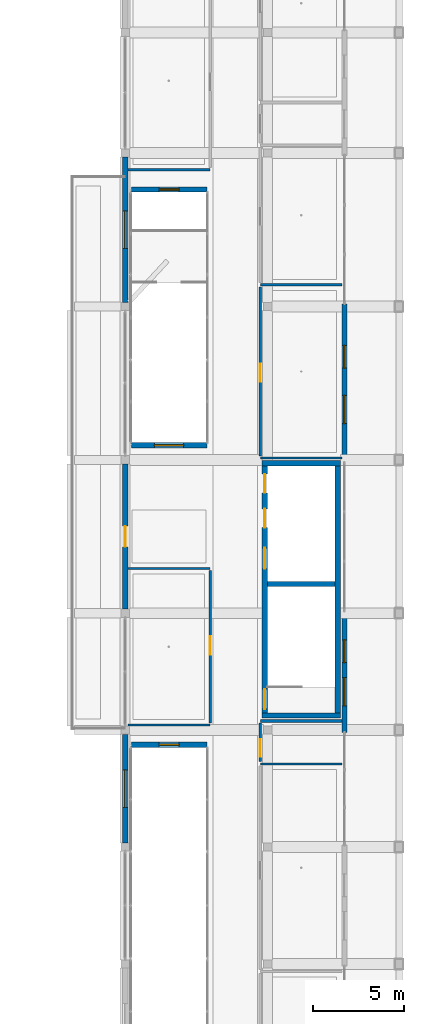
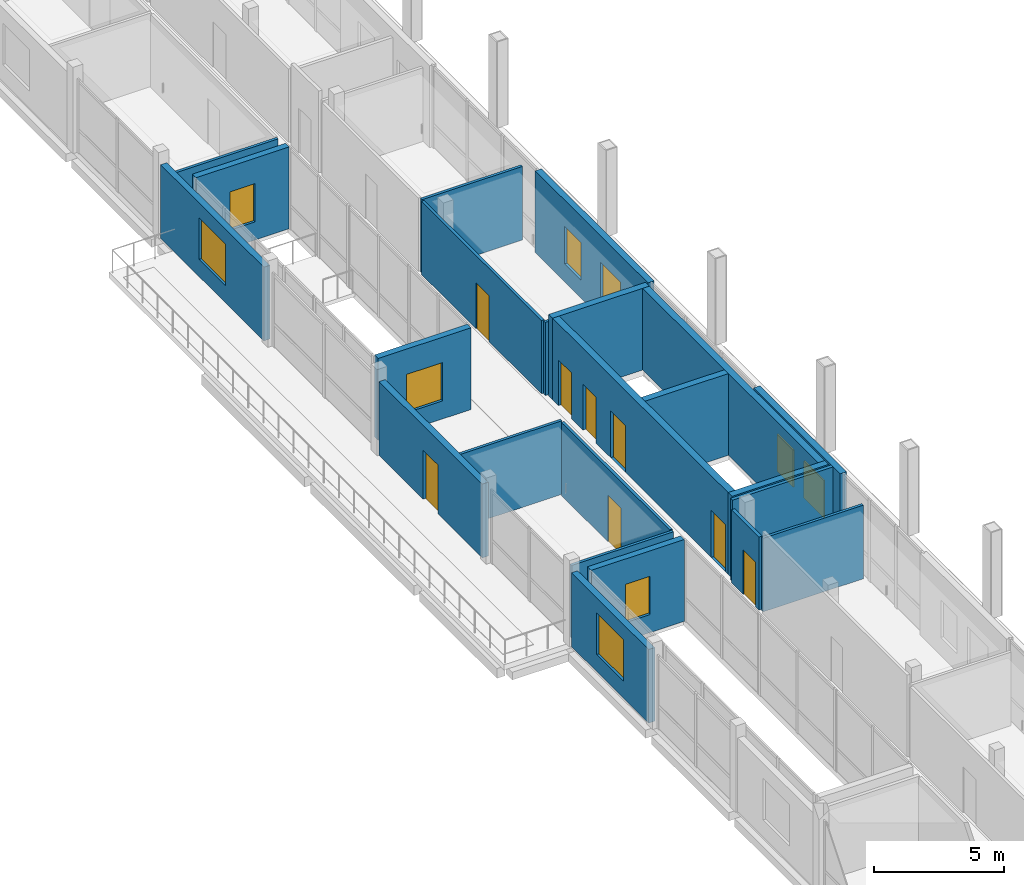
# One storey, part 27 of 48: 23 walls, 9 windows, 8 doors, 17 openings.
"""IFC4 building model written with IfcOpenShell, lengths in metres."""

import ifcopenshell
import ifcopenshell.guid

model = None  # the IFC model being written
_history = None  # IfcOwnerHistory: only IFC2X3 demands one
_inside = {}  # id of a spatial element -> (the spatial element, [elements in it])
_under = {}  # id of a project, library or spatial element -> (it, [spatial elements below it])
_declared = {}  # id of a project -> (the project, [libraries it declares])
_typed = {}  # id of a type object -> (the type object, [elements of that type])
_made_of = {}  # id of a material, layer set ... -> (it, [elements and type objects made of it])


def new_model(schema):
    """Start an empty IFC model of exactly this schema.

    Asked for "IFC4X3", IfcOpenShell would pick the latest addendum, in which some entities
    have other attributes; the version numbers below select the first issue.
    IFC2X3 requires an IfcOwnerHistory on every rooted entity: one is made here for all.
    """
    global model, _history
    if schema == "IFC4X3":
        model = ifcopenshell.file(schema_version=(4, 3, 0, 0))
    else:
        model = ifcopenshell.file(schema=schema)
    _inside.clear()
    _under.clear()
    _declared.clear()
    _typed.clear()
    _made_of.clear()
    _history = None
    if model.schema == "IFC2X3":
        org = make("IfcOrganization", Name="unknown")
        user = make(
            "IfcPersonAndOrganization",
            ThePerson=make("IfcPerson", FamilyName="unknown"),
            TheOrganization=org,
        )
        app = make(
            "IfcApplication",
            ApplicationDeveloper=org,
            Version="unknown",
            ApplicationFullName="unknown",
            ApplicationIdentifier="unknown",
        )
        _history = make(
            "IfcOwnerHistory",
            OwningUser=user,
            OwningApplication=app,
            ChangeAction="ADDED",
            CreationDate=0,
        )
    return model


def make(cls, **values):
    """One entity of the class cls with the attributes given. An attribute that is None is left unset."""
    return model.create_entity(
        cls, **{name: value for name, value in values.items() if value is not None}
    )


def rooted(cls, **values):
    """An entity with a GlobalId (a new one), such as an element, a storey or a relation."""
    return make(cls, GlobalId=ifcopenshell.guid.new(), OwnerHistory=_history, **values)


def si_unit(unit_type, name, prefix=None):
    """IfcSIUnit, for example si_unit("LENGTHUNIT", "METRE", prefix="MILLI")."""
    return make("IfcSIUnit", UnitType=unit_type, Prefix=prefix, Name=name)


def derived_unit(unit_type, elements):
    """IfcDerivedUnit: a product of units, each with its exponent."""
    return make(
        "IfcDerivedUnit",
        Elements=[
            make("IfcDerivedUnitElement", Unit=unit, Exponent=power)
            for unit, power in elements
        ],
        UnitType=unit_type,
    )


def assignment(units):
    """IfcUnitAssignment: the units of a project."""
    return None if units is None else make("IfcUnitAssignment", Units=units)


def point(xyz):
    """IfcCartesianPoint."""
    return None if xyz is None else make("IfcCartesianPoint", Coordinates=xyz)


def direction(xyz):
    """IfcDirection."""
    return None if xyz is None else make("IfcDirection", DirectionRatios=xyz)


def frame(location, z_axis=None, x_axis=None):
    """IfcAxis2Placement3D, a coordinate frame: its origin and axes. An axis left out is left unset."""
    return make(
        "IfcAxis2Placement3D",
        Location=point(location),
        Axis=direction(z_axis),
        RefDirection=direction(x_axis),
    )


def frame_2d(location, x_axis=None):
    """IfcAxis2Placement2D, a coordinate frame in the plane: its origin and x axis."""
    return make(
        "IfcAxis2Placement2D", Location=point(location), RefDirection=direction(x_axis)
    )


def origin():
    """The frame at (0, 0, 0) with its axes left unset."""
    return frame((0.0, 0.0, 0.0))


def origin_with_axes():
    """The frame at (0, 0, 0) with the z axis (0, 0, 1) and the x axis (1, 0, 0) written out."""
    return frame((0.0, 0.0, 0.0), z_axis=(0.0, 0.0, 1.0), x_axis=(1.0, 0.0, 0.0))


def place(relative_to, where):
    """IfcLocalPlacement: puts the frame where relative to a parent placement (None: the world)."""
    return make(
        "IfcLocalPlacement", PlacementRelTo=relative_to, RelativePlacement=where
    )


def context(
    kind, dimensions, precision=None, world=None, true_north=None, identifier=None
):
    """IfcGeometricRepresentationContext, for example the 3D "Model" context."""
    return make(
        "IfcGeometricRepresentationContext",
        ContextIdentifier=identifier,
        ContextType=kind,
        CoordinateSpaceDimension=dimensions,
        Precision=precision,
        WorldCoordinateSystem=world,
        TrueNorth=true_north,
    )


def subcontext(parent, identifier, kind, view, scale=None):
    """IfcGeometricRepresentationSubContext, for example "Body" below "Model"."""
    return make(
        "IfcGeometricRepresentationSubContext",
        ContextIdentifier=identifier,
        ContextType=kind,
        ParentContext=parent,
        TargetScale=scale,
        TargetView=view,
    )


def project(units=None, contexts=None):
    """IfcProject with its units and contexts."""
    return rooted(
        "IfcProject",
        Name="project",
        RepresentationContexts=contexts,
        UnitsInContext=assignment(units),
    )


def spatial(cls, under=None, at=None, **own):
    """A site, building, storey or space (cls), placed at a placement, below another one or the project."""
    s = rooted(cls, ObjectPlacement=at, **own)
    if under is not None:
        _under.setdefault(under.id(), (under, []))[1].append(s)
    return s


def profile(cls, at=None, kind="AREA", **sizes):
    """A parametric profile (cls). Its sizes go by their IFC names, for example OverallWidth=200.0."""
    return make(cls, ProfileType=kind, Position=at, **sizes)


def rectangle(**sizes):
    """IfcRectangleProfileDef."""
    return profile("IfcRectangleProfileDef", **sizes)


def extrude(swept, where, along, depth):
    """IfcExtrudedAreaSolid: the profile swept, set in the frame where, extruded along a direction by depth."""
    return make(
        "IfcExtrudedAreaSolid",
        SweptArea=swept,
        Position=where,
        ExtrudedDirection=direction(along),
        Depth=depth,
    )


def shape(context_of_items, identifier, shape_type, items):
    """IfcShapeRepresentation: the items that make up one representation, for example the "Body"."""
    return make(
        "IfcShapeRepresentation",
        ContextOfItems=context_of_items,
        RepresentationIdentifier=identifier,
        RepresentationType=shape_type,
        Items=items,
    )


def material(Name=None, Category=None):
    """IfcMaterial."""
    return make("IfcMaterial", Name=Name, Category=Category)


def layer(
    of_material, thickness, ventilated=None, Name=None, Category=None, Priority=None
):
    """IfcMaterialLayer: one layer of a wall or slab, of a material (None: an air gap)."""
    return make(
        "IfcMaterialLayer",
        Material=of_material,
        LayerThickness=thickness,
        IsVentilated=ventilated,
        Name=Name,
        Category=Category,
        Priority=Priority,
    )


def layer_set(layers, Name=None):
    """IfcMaterialLayerSet."""
    return make("IfcMaterialLayerSet", MaterialLayers=layers, LayerSetName=Name)


def made_of(thing, what):
    """Note that an element or type object is made of a material, layer set ...; save() writes the relation."""
    if what is not None:
        _made_of.setdefault(what.id(), (what, []))[1].append(thing)
    return thing


def type_object(cls, material=None, **own):
    """A type object (cls), such as IfcWallType, which elements share."""
    return made_of(rooted(cls, **own), material)


def element(
    cls,
    number,
    at=None,
    inside=None,
    cuts=None,
    type_object=None,
    material=None,
    context=None,
    identifier="Body",
    shape_type=None,
    held_by="IfcProductDefinitionShape",
    body=None,
    shapes=None,
    **own,
):
    """One element of the class cls, such as IfcWall. Its Tag is "e" and its number.

    at: its placement. inside: the storey or other place that contains it. cuts: it is an
    opening in that element (IfcRelVoidsElement). A single representation is given by context,
    identifier, shape_type and body (its items); several are given by shapes. held_by: the class
    of the entity that holds the representations. save() writes the other relations.
    """
    e = rooted(cls, Tag="e%d" % number, ObjectPlacement=at, **own)
    if body is not None:
        shapes = [shape(context, identifier, shape_type, body)]
    if shapes is not None:
        e.Representation = make(held_by, Representations=shapes)
    if inside is not None:
        _inside.setdefault(inside.id(), (inside, []))[1].append(e)
    if cuts is not None:
        rooted(
            "IfcRelVoidsElement", RelatingBuildingElement=cuts, RelatedOpeningElement=e
        )
    if type_object is not None:
        _typed.setdefault(type_object.id(), (type_object, []))[1].append(e)
    return made_of(e, material)


def fill(opening, filler):
    """IfcRelFillsElement: the door or window that sits in an opening."""
    return rooted(
        "IfcRelFillsElement",
        RelatingOpeningElement=opening,
        RelatedBuildingElement=filler,
    )


def aggregate(whole, parts):
    """IfcRelAggregates: a whole, such as a stair, and the parts it consists of."""
    return rooted("IfcRelAggregates", RelatingObject=whole, RelatedObjects=parts)


def save(model, path):
    """Write the relations noted so far, then the file.

    IfcRelAggregates (storeys below a building ...), IfcRelContainedInSpatialStructure (elements
    in a storey), IfcRelDefinesByType, IfcRelAssociatesMaterial and IfcRelDeclares: one each for
    every whole, place, type object, material and project.
    """
    for whole, parts in _under.values():
        aggregate(whole, parts)
    for where, things in _inside.values():
        rooted(
            "IfcRelContainedInSpatialStructure",
            RelatedElements=things,
            RelatingStructure=where,
        )
    for kind, things in _typed.values():
        rooted("IfcRelDefinesByType", RelatedObjects=things, RelatingType=kind)
    for what, things in _made_of.values():
        rooted("IfcRelAssociatesMaterial", RelatedObjects=things, RelatingMaterial=what)
    for by, libraries in _declared.values():
        rooted("IfcRelDeclares", RelatingContext=by, RelatedDefinitions=libraries)
    model.write(path)


model = new_model("IFC4")

# Units and contexts
model_context = context("Model", 3, precision=1e-05, world=origin(), true_north=direction((0.0, 1.0)))
body_context = subcontext(model_context, "Body", "Model", "MODEL_VIEW")
ifc_project = project(units=[si_unit("LENGTHUNIT", "METRE"), si_unit("AREAUNIT", "SQUARE_METRE"), si_unit("VOLUMEUNIT", "CUBIC_METRE"), si_unit("PLANEANGLEUNIT", "RADIAN"), si_unit("MASSUNIT", "GRAM", prefix="KILO"), derived_unit("THERMALTRANSMITTANCEUNIT", [(si_unit("POWERUNIT", "WATT"), 1), (si_unit("LENGTHUNIT", "METRE"), -2), (si_unit("THERMODYNAMICTEMPERATUREUNIT", "KELVIN"), -1)])], contexts=[model_context])

# Site, building, storey
site_placement = place(None, origin())
site = spatial("IfcSite", under=ifc_project, at=site_placement, CompositionType="ELEMENT")
building_placement = place(site_placement, origin())
building = spatial("IfcBuilding", under=site, at=building_placement, Name="Braskholm Square Health Centre", CompositionType="ELEMENT")
storey_placement = place(building_placement, frame((0.0, 0.0, 17.550048828125)))
storey = spatial("IfcBuildingStorey", under=building, at=storey_placement, Name="L05", CompositionType="ELEMENT", Elevation=17.550048828125)

# Wall
ifc_material_1 = material(Name="Acoustic gypsum board partition")
ifc_layer_1 = layer(ifc_material_1, 0.125)
ifc_layer_set_1 = layer_set([ifc_layer_1], Name="Acoustic gypsum board partition")
wall_type_1 = type_object("IfcWallType", Name="ClinicalExamPartition125", PredefinedType="PARTITIONING", material=ifc_layer_set_1)
wall_1_placement = place(storey_placement, frame((156.199951171875, 47.14990234375, 0.0), z_axis=(0.0, 0.0, 1.0), x_axis=(1.0, 0.0, 0.0)))
element("IfcWall", 1, at=wall_1_placement, inside=storey, type_object=wall_type_1, Name="Interior partition PWALL-L05-0485", PredefinedType="PARTITIONING", context=body_context, shape_type="SweptSolid", body=[
    extrude(rectangle(XDim=4.4599609375, YDim=0.125, at=frame_2d((2.22998046875, 0.0))), origin(), (0.0, 0.0, 1.0), 3.454833984375),
])

# Wall, opening, door
wall_2_placement = place(storey_placement, frame((156.199951171875, 64.02001953125, 0.0), z_axis=(0.0, 0.0, 1.0), x_axis=(0.0, 1.0, 0.0)))
wall_2 = element("IfcWall", 2, at=wall_2_placement, inside=storey, type_object=wall_type_1, Name="Interior partition PWALL-L05-0488", PredefinedType="PARTITIONING", context=body_context, shape_type="SweptSolid", body=[
    extrude(rectangle(XDim=9.239990234375, YDim=0.125, at=frame_2d((4.6201171875, 0.0))), origin(), (0.0, 0.0, 1.0), 3.43505859375),
])
opening_1_placement = place(wall_2_placement, frame((4.0439453125, 0.0, 0.0)))
opening_1 = element("IfcOpeningElement", 3, at=opening_1_placement, cuts=wall_2, Name="Opening D-02", PredefinedType="OPENING", context=body_context, shape_type="SweptSolid", body=[
    extrude(rectangle(XDim=1.0, YDim=2.14990234375, at=frame_2d((0.5, 1.074951171875))), frame((0.0, 0.072509765625, 0.0), z_axis=(0.0, -1.0, 0.0), x_axis=(1.0, 0.0, 0.0)), (0.0, 0.0, 1.0), 0.14501953125),
])
ifc_material_2 = material(Name="Architectural bronze anodised aluminium", Category="aluminium")
door_type_1 = type_object("IfcDoorType", Name="DoorExamSingle1000x2150", OperationType="NOTDEFINED", PredefinedType="DOOR", material=ifc_material_2)
door_1_placement = place(opening_1_placement, frame((1.0, 0.0, 0.0), z_axis=(0.0, 0.0, 1.0), x_axis=(-1.0, 0.0, 0.0)))
door_1 = element("IfcDoor", 4, at=door_1_placement, inside=storey, type_object=door_type_1, Name="Interior door 0231 L05", OperationType="SINGLE_SWING_LEFT", OverallHeight=2.14990234375, OverallWidth=1.0, PredefinedType="DOOR", context=body_context, shape_type="SweptSolid", body=[
    extrude(rectangle(XDim=1.0, YDim=2.14990234375, at=frame_2d((0.5, 1.074951171875))), frame((0.0, 0.02490234375, 0.0), z_axis=(0.0, -1.0, 0.0), x_axis=(1.0, 0.0, 0.0)), (0.0, 0.0, 1.0), 0.050048828125),
])
fill(opening_1, door_1)

# Walls
wall_3_placement = place(storey_placement, frame((156.199951171875, 63.89990234375, 0.0), z_axis=(0.0, 0.0, 1.0), x_axis=(1.0, 0.0, 0.0)))
element("IfcWall", 5, at=wall_3_placement, inside=storey, type_object=wall_type_1, Name="Interior partition PWALL-L05-0489", PredefinedType="PARTITIONING", context=body_context, shape_type="SweptSolid", body=[
    extrude(rectangle(XDim=4.4599609375, YDim=0.125, at=frame_2d((2.22998046875, 0.0))), origin(), (0.0, 0.0, 1.0), 3.43505859375),
])
wall_4_placement = place(storey_placement, frame((156.199951171875, 73.3798828125, 0.0), z_axis=(0.0, 0.0, 1.0), x_axis=(1.0, 0.0, 0.0)))
element("IfcWall", 6, at=wall_4_placement, inside=storey, type_object=wall_type_1, Name="Interior partition PWALL-L05-0490", PredefinedType="PARTITIONING", context=body_context, shape_type="SweptSolid", body=[
    extrude(rectangle(XDim=4.4599609375, YDim=0.125, at=frame_2d((2.22998046875, 0.0))), origin(), (0.0, 0.0, 1.0), 3.454833984375),
])

# Wall, opening, door
wall_5_placement = place(storey_placement, frame((153.449951171875, 49.39990234375, 0.0), z_axis=(0.0, 0.0, 1.0), x_axis=(0.0, 1.0, 0.0)))
wall_5 = element("IfcWall", 7, at=wall_5_placement, inside=storey, type_object=wall_type_1, Name="Interior partition PWALL-L05-0508", PredefinedType="PARTITIONING", context=body_context, shape_type="SweptSolid", body=[
    extrude(rectangle(XDim=8.330078125, YDim=0.125, at=frame_2d((4.1650390625, 0.0))), origin(), (0.0, 0.0, 1.0), 3.43505859375),
])
opening_2_placement = place(wall_5_placement, frame((3.72998046875, 0.0, 0.0)))
opening_2 = element("IfcOpeningElement", 8, at=opening_2_placement, cuts=wall_5, Name="Opening D-25", PredefinedType="OPENING", context=body_context, shape_type="SweptSolid", body=[
    extrude(rectangle(XDim=1.02001953125, YDim=2.179931640625, at=frame_2d((0.510009765625, 1.08984375))), frame((0.0, 0.072509765625, 0.0), z_axis=(0.0, -1.0, 0.0), x_axis=(1.0, 0.0, 0.0)), (0.0, 0.0, 1.0), 0.14501953125),
])
door_type_2 = type_object("IfcDoorType", Name="DoorConsultWide1020x2180", OperationType="NOTDEFINED", PredefinedType="DOOR", material=ifc_material_2)
door_2_placement = place(opening_2_placement, origin_with_axes())
door_2 = element("IfcDoor", 9, at=door_2_placement, inside=storey, type_object=door_type_2, Name="Interior door 0241 L05", OperationType="SINGLE_SWING_RIGHT", OverallHeight=2.179931640625, OverallWidth=1.02001953125, PredefinedType="DOOR", context=body_context, shape_type="SweptSolid", body=[
    extrude(rectangle(XDim=1.02001953125, YDim=2.179931640625, at=frame_2d((0.510009765625, 1.08984375))), frame((0.0, 0.02490234375, 0.0), z_axis=(0.0, -1.0, 0.0), x_axis=(1.0, 0.0, 0.0)), (0.0, 0.0, 1.0), 0.050048828125),
])
fill(opening_2, door_2)

# Walls
wall_6_placement = place(storey_placement, frame((148.93994140625, 49.280029296875, 0.0), z_axis=(0.0, 0.0, 1.0), x_axis=(1.0, 0.0, 0.0)))
element("IfcWall", 10, at=wall_6_placement, inside=storey, type_object=wall_type_1, Name="Interior partition PWALL-L05-0509", PredefinedType="PARTITIONING", context=body_context, shape_type="SweptSolid", body=[
    extrude(rectangle(XDim=4.510009765625, YDim=0.125, at=frame_2d((2.2548828125, 0.0))), origin(), (0.0, 0.0, 1.0), 3.43505859375),
])
for number, where, z_axis, x_axis, name in (
    (11, (148.93994140625, 57.85009765625, 0.0), (0.0, 0.0, 1.0), (1.0, 0.0, 0.0), "Interior partition PWALL-L05-0510"),
    (12, (148.93994140625, 79.679931640625, 0.0), (0.0, 0.0, 1.0), (1.0, 0.0, 0.0), "Interior partition PWALL-L05-0512"),
):
    element("IfcWall", number, at=place(storey_placement, frame(where, z_axis=z_axis, x_axis=x_axis)), inside=storey, type_object=wall_type_1, Name=name, PredefinedType="PARTITIONING", context=body_context, shape_type="SweptSolid", body=[
        extrude(rectangle(XDim=4.510009765625, YDim=0.125, at=frame_2d((2.2548828125, 0.0))), origin(), (0.0, 0.0, 1.0), 3.454833984375),
    ])

# Wall, opening, door
ifc_layer_2 = layer(ifc_material_1, 0.14990234375)
ifc_layer_set_2 = layer_set([ifc_layer_2], Name="Acoustic gypsum board partition")
wall_type_2 = type_object("IfcWallType", Name="CorridorAcousticPartition150", PredefinedType="PARTITIONING", material=ifc_layer_set_2)
wall_7_placement = place(storey_placement, frame((156.199951171875, 47.27001953125, 0.0), z_axis=(0.0, 0.0, 1.0), x_axis=(0.0, 1.0, 0.0)))
wall_7 = element("IfcWall", 13, at=wall_7_placement, inside=storey, type_object=wall_type_2, Name="Interior partition PWALL-L05-0486", PredefinedType="PARTITIONING", context=body_context, shape_type="SweptSolid", body=[
    extrude(rectangle(XDim=2.10986328125, YDim=0.14990234375, at=frame_2d((1.054931640625, 0.0))), origin(), (0.0, 0.0, 1.0), 3.43505859375),
])
opening_3_placement = place(wall_7_placement, frame((0.260009765625, 0.0, 0.0)))
opening_3 = element("IfcOpeningElement", 14, at=opening_3_placement, cuts=wall_7, Name="Opening D-05", PredefinedType="OPENING", context=body_context, shape_type="SweptSolid", body=[
    extrude(rectangle(XDim=0.9599609375, YDim=2.10009765625, at=frame_2d((0.47998046875, 1.050048828125))), frame((0.0, 0.0849609375, 0.0), z_axis=(0.0, -1.0, 0.0), x_axis=(1.0, 0.0, 0.0)), (0.0, 0.0, 1.0), 0.169921875),
])
door_type_3 = type_object("IfcDoorType", Name="DoorAccessibleWC960x2100", OperationType="NOTDEFINED", PredefinedType="DOOR", material=ifc_material_2)
door_3_placement = place(opening_3_placement, frame((0.9599609375, 0.0, 0.0), z_axis=(0.0, 0.0, 1.0), x_axis=(-1.0, 0.0, 0.0)))
door_3 = element("IfcDoor", 15, at=door_3_placement, inside=storey, type_object=door_type_3, Name="Interior door 0230 L05", OperationType="SINGLE_SWING_RIGHT", OverallHeight=2.10009765625, OverallWidth=0.9599609375, PredefinedType="DOOR", context=body_context, shape_type="SweptSolid", body=[
    extrude(rectangle(XDim=0.9599609375, YDim=2.10009765625, at=frame_2d((0.47998046875, 1.050048828125))), frame((0.0, 0.02490234375, 0.0), z_axis=(0.0, -1.0, 0.0), x_axis=(1.0, 0.0, 0.0)), (0.0, 0.0, 1.0), 0.050048828125),
])
fill(opening_3, door_3)

# Wall
wall_8_placement = place(storey_placement, frame((156.199951171875, 49.5, 0.0), z_axis=(0.0, 0.0, 1.0), x_axis=(1.0, 0.0, 0.0)))
element("IfcWall", 16, at=wall_8_placement, inside=storey, type_object=wall_type_2, Name="Interior partition PWALL-L05-0487", PredefinedType="PARTITIONING", context=body_context, shape_type="SweptSolid", body=[
    extrude(rectangle(XDim=4.4599609375, YDim=0.14990234375, at=frame_2d((2.22998046875, 0.0))), origin(), (0.0, 0.0, 1.0), 3.8349609375),
])

# Wall, openings, windows
ifc_material_3 = material(Name="Precast concrete C40/50 architectural white", Category="concrete")
ifc_layer_3 = layer(ifc_material_3, 0.280029296875)
ifc_layer_set_3 = layer_set([ifc_layer_3], Name="Precast concrete C40/50 architectural white")
wall_type_3 = type_object("IfcWallType", Name="ExteriorPrecastSpandrelWall280", PredefinedType="SOLIDWALL", material=ifc_layer_set_3)
wall_9_placement = place(storey_placement, frame((160.800048828125, 48.876953125, 0.0), z_axis=(0.0, 0.0, 1.0), x_axis=(0.0, 1.0, 0.0)))
wall_9 = element("IfcWall", 17, at=wall_9_placement, inside=storey, type_object=wall_type_3, Name="Exterior wall EWALL-L05-0089", PredefinedType="SOLIDWALL", context=body_context, shape_type="SweptSolid", body=[
    extrude(rectangle(XDim=6.657958984375, YDim=0.280029296875, at=frame_2d((3.3291015625, 0.0))), origin(), (0.0, 0.0, 1.0), 3.83984375),
])
opening_4_placement = place(wall_9_placement, frame((1.444091796875, 0.0, 0.85009765625)))
opening_4 = element("IfcOpeningElement", 18, at=opening_4_placement, cuts=wall_9, Name="Opening WN-22", PredefinedType="OPENING", context=body_context, shape_type="SweptSolid", body=[
    extrude(rectangle(XDim=1.550048828125, YDim=1.75, at=frame_2d((0.77490234375, 0.875))), frame((0.0, 0.14990234375, 0.0), z_axis=(0.0, -1.0, 0.0), x_axis=(1.0, 0.0, 0.0)), (0.0, 0.0, 1.0), 0.300048828125),
])
opening_5_placement = place(wall_9_placement, frame((3.81396484375, 0.0, 0.85009765625)))
opening_5 = element("IfcOpeningElement", 19, at=opening_5_placement, cuts=wall_9, Name="Opening WN-21", PredefinedType="OPENING", context=body_context, shape_type="SweptSolid", body=[
    extrude(rectangle(XDim=1.25, YDim=1.75, at=frame_2d((0.625, 0.875))), frame((0.0, 0.14990234375, 0.0), z_axis=(0.0, -1.0, 0.0), x_axis=(1.0, 0.0, 0.0)), (0.0, 0.0, 1.0), 0.300048828125),
])
ifc_material_4 = material(Name="Low-E triple insulating glass (VLT 0.64)", Category="glass")
window_type_1 = type_object("IfcWindowType", Name="WinCrownSetback1250x1750", PartitioningType="SINGLE_PANEL", PredefinedType="WINDOW", material=ifc_material_4)
window_1_placement = place(opening_5_placement, origin_with_axes())
window_1 = element("IfcWindow", 20, at=window_1_placement, inside=storey, type_object=window_type_1, Name="Exterior window 0160 L05", OverallHeight=1.75, OverallWidth=1.25, PartitioningType="SINGLE_PANEL", PredefinedType="WINDOW", context=body_context, shape_type="SweptSolid", body=[
    extrude(rectangle(XDim=1.25, YDim=1.75, at=frame_2d((0.625, 0.875))), frame((0.0, 0.030029296875, 0.0), z_axis=(0.0, -1.0, 0.0), x_axis=(1.0, 0.0, 0.0)), (0.0, 0.0, 1.0), 0.06005859375),
])
fill(opening_5, window_1)
window_type_2 = type_object("IfcWindowType", Name="WinCrownSetback1550x1750", PartitioningType="SINGLE_PANEL", PredefinedType="WINDOW", material=ifc_material_4)
window_2_placement = place(opening_4_placement, origin_with_axes())
window_2 = element("IfcWindow", 21, at=window_2_placement, inside=storey, type_object=window_type_2, Name="Exterior window 0159 L05", OverallHeight=1.75, OverallWidth=1.550048828125, PartitioningType="SINGLE_PANEL", PredefinedType="WINDOW", context=body_context, shape_type="SweptSolid", body=[
    extrude(rectangle(XDim=1.550048828125, YDim=1.75, at=frame_2d((0.77490234375, 0.875))), frame((0.0, 0.030029296875, 0.0), z_axis=(0.0, -1.0, 0.0), x_axis=(1.0, 0.0, 0.0)), (0.0, 0.0, 1.0), 0.06005859375),
])
fill(opening_4, window_2)

wall_10_placement = place(storey_placement, frame((160.800048828125, 63.6650390625, 0.0), z_axis=(0.0, 0.0, 1.0), x_axis=(0.0, 1.0, 0.0)))
wall_10 = element("IfcWall", 22, at=wall_10_placement, inside=storey, type_object=wall_type_3, Name="Exterior wall EWALL-L05-0090", PredefinedType="SOLIDWALL", context=body_context, shape_type="SweptSolid", body=[
    extrude(rectangle(XDim=8.669921875, YDim=0.280029296875, at=frame_2d((4.3349609375, 0.0))), origin(), (0.0, 0.0, 1.0), 3.83984375),
])
opening_6_placement = place(wall_10_placement, frame((2.114990234375, 0.0, 0.85009765625)))
opening_6 = element("IfcOpeningElement", 23, at=opening_6_placement, cuts=wall_10, Name="Opening WN-22", PredefinedType="OPENING", context=body_context, shape_type="SweptSolid", body=[
    extrude(rectangle(XDim=1.550048828125, YDim=1.75, at=frame_2d((0.77490234375, 0.875))), frame((0.0, 0.14990234375, 0.0), z_axis=(0.0, -1.0, 0.0), x_axis=(1.0, 0.0, 0.0)), (0.0, 0.0, 1.0), 0.300048828125),
])
opening_7_placement = place(wall_10_placement, frame((5.155029296875, 0.0, 0.85009765625)))
opening_7 = element("IfcOpeningElement", 24, at=opening_7_placement, cuts=wall_10, Name="Opening WN-21", PredefinedType="OPENING", context=body_context, shape_type="SweptSolid", body=[
    extrude(rectangle(XDim=1.25, YDim=1.75, at=frame_2d((0.625, 0.875))), frame((0.0, 0.14990234375, 0.0), z_axis=(0.0, -1.0, 0.0), x_axis=(1.0, 0.0, 0.0)), (0.0, 0.0, 1.0), 0.300048828125),
])
window_3_placement = place(opening_7_placement, origin_with_axes())
window_3 = element("IfcWindow", 25, at=window_3_placement, inside=storey, type_object=window_type_1, Name="Exterior window 0162 L05", OverallHeight=1.75, OverallWidth=1.25, PartitioningType="SINGLE_PANEL", PredefinedType="WINDOW", context=body_context, shape_type="SweptSolid", body=[
    extrude(rectangle(XDim=1.25, YDim=1.75, at=frame_2d((0.625, 0.875))), frame((0.0, 0.030029296875, 0.0), z_axis=(0.0, -1.0, 0.0), x_axis=(1.0, 0.0, 0.0)), (0.0, 0.0, 1.0), 0.06005859375),
])
fill(opening_7, window_3)
window_4_placement = place(opening_6_placement, origin_with_axes())
window_4 = element("IfcWindow", 26, at=window_4_placement, inside=storey, type_object=window_type_2, Name="Exterior window 0161 L05", OverallHeight=1.75, OverallWidth=1.550048828125, PartitioningType="SINGLE_PANEL", PredefinedType="WINDOW", context=body_context, shape_type="SweptSolid", body=[
    extrude(rectangle(XDim=1.550048828125, YDim=1.75, at=frame_2d((0.77490234375, 0.875))), frame((0.0, 0.030029296875, 0.0), z_axis=(0.0, -1.0, 0.0), x_axis=(1.0, 0.0, 0.0)), (0.0, 0.0, 1.0), 0.06005859375),
])
fill(opening_6, window_4)

# Wall, opening, window
wall_11_placement = place(storey_placement, frame((148.800048828125, 48.77294921875, 0.0), z_axis=(0.0, 0.0, 1.0), x_axis=(0.0, -1.0, 0.0)))
wall_11 = element("IfcWall", 27, at=wall_11_placement, inside=storey, type_object=wall_type_3, Name="Exterior wall EWALL-L05-0204", PredefinedType="SOLIDWALL", context=body_context, shape_type="SweptSolid", body=[
    extrude(rectangle(XDim=5.946044921875, YDim=0.280029296875, at=frame_2d((2.97314453125, 0.0))), origin(), (0.0, 0.0, 1.0), 3.4599609375),
])
opening_8_placement = place(wall_11_placement, frame((1.947998046875, 0.0, 0.800048828125)))
opening_8 = element("IfcOpeningElement", 28, at=opening_8_placement, cuts=wall_11, Name="Opening WN-25", PredefinedType="OPENING", context=body_context, shape_type="SweptSolid", body=[
    extrude(rectangle(XDim=2.050048828125, YDim=1.949951171875, at=frame_2d((1.02490234375, 0.97509765625))), frame((0.0, 0.14990234375, 0.0), z_axis=(0.0, -1.0, 0.0), x_axis=(1.0, 0.0, 0.0)), (0.0, 0.0, 1.0), 0.300048828125),
])
window_type_3 = type_object("IfcWindowType", Name="WinValleyTerrace2050x1950", PartitioningType="SINGLE_PANEL", PredefinedType="WINDOW", material=ifc_material_4)
window_5_placement = place(opening_8_placement, origin_with_axes())
window_5 = element("IfcWindow", 29, at=window_5_placement, inside=storey, type_object=window_type_3, Name="Exterior window 0256 L05", OverallHeight=1.949951171875, OverallWidth=2.050048828125, PartitioningType="SINGLE_PANEL", PredefinedType="WINDOW", context=body_context, shape_type="SweptSolid", body=[
    extrude(rectangle(XDim=2.050048828125, YDim=1.949951171875, at=frame_2d((1.02490234375, 0.97509765625))), frame((0.0, 0.030029296875, 0.0), z_axis=(0.0, -1.0, 0.0), x_axis=(1.0, 0.0, 0.0)), (0.0, 0.0, 1.0), 0.06005859375),
])
fill(opening_8, window_5)

# Wall, opening, door
wall_12_placement = place(storey_placement, frame((148.800048828125, 63.572998046875, 0.0), z_axis=(0.0, 0.0, 1.0), x_axis=(0.0, -1.0, 0.0)))
wall_12 = element("IfcWall", 30, at=wall_12_placement, inside=storey, type_object=wall_type_3, Name="Exterior wall EWALL-L05-0205", PredefinedType="SOLIDWALL", context=body_context, shape_type="SweptSolid", body=[
    extrude(rectangle(XDim=7.946044921875, YDim=0.280029296875, at=frame_2d((3.97314453125, 0.0))), origin(), (0.0, 0.0, 1.0), 3.4599609375),
])
opening_9_placement = place(wall_12_placement, frame((3.403076171875, 0.0, 0.0)))
opening_9 = element("IfcOpeningElement", 31, at=opening_9_placement, cuts=wall_12, Name="Opening D-T1", PredefinedType="OPENING", context=body_context, shape_type="SweptSolid", body=[
    extrude(rectangle(XDim=1.139892578125, YDim=2.300048828125, at=frame_2d((0.56982421875, 1.14990234375))), frame((0.0, 0.14990234375, 0.0), z_axis=(0.0, -1.0, 0.0), x_axis=(1.0, 0.0, 0.0)), (0.0, 0.0, 1.0), 0.300048828125),
])
door_type_4 = type_object("IfcDoorType", Name="DoorPlantedTerrace1140x2300", OperationType="NOTDEFINED", PredefinedType="DOOR", material=ifc_material_4)
door_4_placement = place(opening_9_placement, frame((1.139892578125, 0.0, 0.0), z_axis=(0.0, 0.0, 1.0), x_axis=(-1.0, 0.0, 0.0)))
door_4 = element("IfcDoor", 32, at=door_4_placement, inside=storey, type_object=door_type_4, Name="Exterior door 0032 L05", OperationType="SINGLE_SWING_RIGHT", OverallHeight=2.300048828125, OverallWidth=1.139892578125, PredefinedType="DOOR", context=body_context, shape_type="SweptSolid", body=[
    extrude(rectangle(XDim=1.139892578125, YDim=2.300048828125, at=frame_2d((0.56982421875, 1.14990234375))), frame((0.0, 0.02490234375, 0.0), z_axis=(0.0, -1.0, 0.0), x_axis=(1.0, 0.0, 0.0)), (0.0, 0.0, 1.0), 0.050048828125),
])
fill(opening_9, door_4)

# Wall, opening, window
wall_13_placement = place(storey_placement, frame((148.800048828125, 80.373046875, 0.0), z_axis=(0.0, 0.0, 1.0), x_axis=(0.0, -1.0, 0.0)))
wall_13 = element("IfcWall", 33, at=wall_13_placement, inside=storey, type_object=wall_type_3, Name="Exterior wall EWALL-L05-0206", PredefinedType="SOLIDWALL", context=body_context, shape_type="SweptSolid", body=[
    extrude(rectangle(XDim=7.946044921875, YDim=0.280029296875, at=frame_2d((3.97314453125, 0.0))), origin(), (0.0, 0.0, 1.0), 3.4599609375),
])
opening_10_placement = place(wall_13_placement, frame((2.947998046875, 0.0, 0.800048828125)))
opening_10 = element("IfcOpeningElement", 34, at=opening_10_placement, cuts=wall_13, Name="Opening WN-25", PredefinedType="OPENING", context=body_context, shape_type="SweptSolid", body=[
    extrude(rectangle(XDim=2.050048828125, YDim=1.949951171875, at=frame_2d((1.02490234375, 0.97509765625))), frame((0.0, 0.14990234375, 0.0), z_axis=(0.0, -1.0, 0.0), x_axis=(1.0, 0.0, 0.0)), (0.0, 0.0, 1.0), 0.300048828125),
])
window_6_placement = place(opening_10_placement, origin_with_axes())
window_6 = element("IfcWindow", 35, at=window_6_placement, inside=storey, type_object=window_type_3, Name="Exterior window 0257 L05", OverallHeight=1.949951171875, OverallWidth=2.050048828125, PartitioningType="SINGLE_PANEL", PredefinedType="WINDOW", context=body_context, shape_type="SweptSolid", body=[
    extrude(rectangle(XDim=2.050048828125, YDim=1.949951171875, at=frame_2d((1.02490234375, 0.97509765625))), frame((0.0, 0.030029296875, 0.0), z_axis=(0.0, -1.0, 0.0), x_axis=(1.0, 0.0, 0.0)), (0.0, 0.0, 1.0), 0.06005859375),
])
fill(opening_10, window_6)

wall_14_placement = place(storey_placement, frame((149.134033203125, 48.199951171875, 0.0), z_axis=(0.0, 0.0, 1.0), x_axis=(1.0, 0.0, 0.0)))
wall_14 = element("IfcWall", 36, at=wall_14_placement, inside=storey, type_object=wall_type_3, Name="Exterior wall EWALL-L05-0316", PredefinedType="SOLIDWALL", context=body_context, shape_type="SweptSolid", body=[
    extrude(rectangle(XDim=4.132080078125, YDim=0.280029296875, at=frame_2d((2.06591796875, 0.0))), origin(), (0.0, 0.0, 1.0), 3.83984375),
])
opening_11_placement = place(wall_14_placement, frame((1.51611328125, 0.0, 0.85009765625)))
opening_11 = element("IfcOpeningElement", 37, at=opening_11_placement, cuts=wall_14, Name="Opening WN-26", PredefinedType="OPENING", context=body_context, shape_type="SweptSolid", body=[
    extrude(rectangle(XDim=1.10009765625, YDim=1.800048828125, at=frame_2d((0.550048828125, 0.89990234375))), frame((0.0, 0.14990234375, 0.0), z_axis=(0.0, -1.0, 0.0), x_axis=(1.0, 0.0, 0.0)), (0.0, 0.0, 1.0), 0.300048828125),
])
window_type_4 = type_object("IfcWindowType", Name="WinLightCourt1100x1800", PartitioningType="SINGLE_PANEL", PredefinedType="WINDOW", material=ifc_material_4)
window_7_placement = place(opening_11_placement, origin_with_axes())
window_7 = element("IfcWindow", 38, at=window_7_placement, inside=storey, type_object=window_type_4, Name="Exterior window 0362 L05", OverallHeight=1.800048828125, OverallWidth=1.10009765625, PartitioningType="SINGLE_PANEL", PredefinedType="WINDOW", context=body_context, shape_type="SweptSolid", body=[
    extrude(rectangle(XDim=1.10009765625, YDim=1.800048828125, at=frame_2d((0.550048828125, 0.89990234375))), frame((0.0, 0.030029296875, 0.0), z_axis=(0.0, -1.0, 0.0), x_axis=(1.0, 0.0, 0.0)), (0.0, 0.0, 1.0), 0.06005859375),
])
fill(opening_11, window_7)

wall_15_placement = place(storey_placement, frame((153.26611328125, 64.60009765625, 0.0), z_axis=(0.0, 0.0, 1.0), x_axis=(-1.0, 0.0, 0.0)))
wall_15 = element("IfcWall", 39, at=wall_15_placement, inside=storey, type_object=wall_type_3, Name="Exterior wall EWALL-L05-0325", PredefinedType="SOLIDWALL", context=body_context, shape_type="SweptSolid", body=[
    extrude(rectangle(XDim=4.132080078125, YDim=0.280029296875, at=frame_2d((2.06591796875, 0.0))), origin(), (0.0, 0.0, 1.0), 3.83984375),
])
opening_12_placement = place(wall_15_placement, frame((1.26611328125, 0.0, 0.85009765625)))
opening_12 = element("IfcOpeningElement", 40, at=opening_12_placement, cuts=wall_15, Name="Opening WN-27", PredefinedType="OPENING", context=body_context, shape_type="SweptSolid", body=[
    extrude(rectangle(XDim=1.60009765625, YDim=1.800048828125, at=frame_2d((0.800048828125, 0.89990234375))), frame((0.0, 0.14990234375, 0.0), z_axis=(0.0, -1.0, 0.0), x_axis=(1.0, 0.0, 0.0)), (0.0, 0.0, 1.0), 0.300048828125),
])
window_type_5 = type_object("IfcWindowType", Name="WinLightCourt1600x1800", PartitioningType="SINGLE_PANEL", PredefinedType="WINDOW", material=ifc_material_4)
window_8_placement = place(opening_12_placement, origin_with_axes())
window_8 = element("IfcWindow", 41, at=window_8_placement, inside=storey, type_object=window_type_5, Name="Exterior window 0371 L05", OverallHeight=1.800048828125, OverallWidth=1.60009765625, PartitioningType="SINGLE_PANEL", PredefinedType="WINDOW", context=body_context, shape_type="SweptSolid", body=[
    extrude(rectangle(XDim=1.60009765625, YDim=1.800048828125, at=frame_2d((0.800048828125, 0.89990234375))), frame((0.0, 0.030029296875, 0.0), z_axis=(0.0, -1.0, 0.0), x_axis=(1.0, 0.0, 0.0)), (0.0, 0.0, 1.0), 0.06005859375),
])
fill(opening_12, window_8)

wall_16_placement = place(storey_placement, frame((149.134033203125, 78.60009765625, 0.0), z_axis=(0.0, 0.0, 1.0), x_axis=(1.0, 0.0, 0.0)))
wall_16 = element("IfcWall", 42, at=wall_16_placement, inside=storey, type_object=wall_type_3, Name="Exterior wall EWALL-L05-0326", PredefinedType="SOLIDWALL", context=body_context, shape_type="SweptSolid", body=[
    extrude(rectangle(XDim=4.132080078125, YDim=0.280029296875, at=frame_2d((2.06591796875, 0.0))), origin(), (0.0, 0.0, 1.0), 3.83984375),
])
opening_13_placement = place(wall_16_placement, frame((1.51611328125, 0.0, 0.85009765625)))
opening_13 = element("IfcOpeningElement", 43, at=opening_13_placement, cuts=wall_16, Name="Opening WN-26", PredefinedType="OPENING", context=body_context, shape_type="SweptSolid", body=[
    extrude(rectangle(XDim=1.10009765625, YDim=1.800048828125, at=frame_2d((0.550048828125, 0.89990234375))), frame((0.0, 0.14990234375, 0.0), z_axis=(0.0, -1.0, 0.0), x_axis=(1.0, 0.0, 0.0)), (0.0, 0.0, 1.0), 0.300048828125),
])
window_9_placement = place(opening_13_placement, origin_with_axes())
window_9 = element("IfcWindow", 44, at=window_9_placement, inside=storey, type_object=window_type_4, Name="Exterior window 0372 L05", OverallHeight=1.800048828125, OverallWidth=1.10009765625, PartitioningType="SINGLE_PANEL", PredefinedType="WINDOW", context=body_context, shape_type="SweptSolid", body=[
    extrude(rectangle(XDim=1.10009765625, YDim=1.800048828125, at=frame_2d((0.550048828125, 0.89990234375))), frame((0.0, 0.030029296875, 0.0), z_axis=(0.0, -1.0, 0.0), x_axis=(1.0, 0.0, 0.0)), (0.0, 0.0, 1.0), 0.06005859375),
])
fill(opening_13, window_9)

# Walls
ifc_material_5 = material(Name="Concrete C40/50 (f'c = 40 MPa)", Category="concrete")
ifc_layer_4 = layer(ifc_material_5, 0.300048828125)
ifc_layer_set_4 = layer_set([ifc_layer_4], Name="Concrete C40/50 (f'c = 40 MPa)")
wall_type_4 = type_object("IfcWallType", Name="ShearCoreWall300", PredefinedType="SHEAR", material=ifc_layer_set_4)
for number, where, z_axis, x_axis, name in (
    (45, (156.300048828125, 49.800048828125, 0.0), (0.0, 0.0, 1.0), (1.0, 0.0, 0.0), "CWALL-K4-L05 south wall"),
    (46, (160.60009765625, 63.60009765625, 0.0), (0.0, 0.0, 1.0), (-1.0, 0.0, 0.0), "CWALL-K4-L05 north wall"),
):
    element("IfcWall", number, at=place(storey_placement, frame(where, z_axis=z_axis, x_axis=x_axis)), inside=storey, type_object=wall_type_4, Name=name, PredefinedType="SHEAR", context=body_context, shape_type="SweptSolid", body=[
        extrude(rectangle(XDim=4.300048828125, YDim=0.300048828125, at=frame_2d((2.14990234375, 0.0))), origin(), (0.0, 0.0, 1.0), 3.83984375),
    ])

# Wall, openings, doors
wall_17_placement = place(storey_placement, frame((156.449951171875, 63.449951171875, 0.0), z_axis=(0.0, 0.0, 1.0), x_axis=(0.0, -1.0, 0.0)))
wall_17 = element("IfcWall", 47, at=wall_17_placement, inside=storey, type_object=wall_type_4, Name="CWALL-K4-L05 west wall", PredefinedType="SHEAR", context=body_context, shape_type="SweptSolid", body=[
    extrude(rectangle(XDim=13.5, YDim=0.300048828125, at=frame_2d((6.75, 0.0))), origin(), (0.0, 0.0, 1.0), 3.83984375),
])
opening_14_placement = place(wall_17_placement, frame((12.199951171875, 0.0, 0.0)))
opening_14 = element("IfcOpeningElement", 48, at=opening_14_placement, cuts=wall_17, Name="Opening D-22", PredefinedType="OPENING", context=body_context, shape_type="SweptSolid", body=[
    extrude(rectangle(XDim=1.10009765625, YDim=2.199951171875, at=frame_2d((0.550048828125, 1.10009765625))), frame((0.0, 0.16015625, 0.0), z_axis=(0.0, -1.0, 0.0), x_axis=(1.0, 0.0, 0.0)), (0.0, 0.0, 1.0), 0.320068359375),
])
opening_15_placement = place(wall_17_placement, frame((4.47509765625, 0.0, 0.0)))
opening_15 = element("IfcOpeningElement", 49, at=opening_15_placement, cuts=wall_17, Name="Opening LD-1", PredefinedType="OPENING", context=body_context, shape_type="SweptSolid", body=[
    extrude(rectangle(XDim=1.14990234375, YDim=2.199951171875, at=frame_2d((0.574951171875, 1.10009765625))), frame((0.0, 0.16015625, 0.0), z_axis=(0.0, -1.0, 0.0), x_axis=(1.0, 0.0, 0.0)), (0.0, 0.0, 1.0), 0.320068359375),
])
opening_16_placement = place(wall_17_placement, frame((2.340087890625, 0.0, 0.0)))
opening_16 = element("IfcOpeningElement", 50, at=opening_16_placement, cuts=wall_17, Name="Opening LD-2", PredefinedType="OPENING", context=body_context, shape_type="SweptSolid", body=[
    extrude(rectangle(XDim=1.02001953125, YDim=2.14990234375, at=frame_2d((0.510009765625, 1.074951171875))), frame((0.0, 0.16015625, 0.0), z_axis=(0.0, -1.0, 0.0), x_axis=(1.0, 0.0, 0.0)), (0.0, 0.0, 1.0), 0.320068359375),
])
opening_17_placement = place(wall_17_placement, frame((0.43994140625, 0.0, 0.0)))
opening_17 = element("IfcOpeningElement", 51, at=opening_17_placement, cuts=wall_17, Name="Opening LD-2", PredefinedType="OPENING", context=body_context, shape_type="SweptSolid", body=[
    extrude(rectangle(XDim=1.02001953125, YDim=2.14990234375, at=frame_2d((0.510009765625, 1.074951171875))), frame((0.0, 0.16015625, 0.0), z_axis=(0.0, -1.0, 0.0), x_axis=(1.0, 0.0, 0.0)), (0.0, 0.0, 1.0), 0.320068359375),
])
door_type_5 = type_object("IfcDoorType", Name="DoorLiftLandingPassenger1020x2150", OperationType="SLIDING_TO_LEFT", PredefinedType="DOOR", material=ifc_material_2)
door_5_placement = place(opening_16_placement, origin_with_axes())
door_5 = element("IfcDoor", 52, at=door_5_placement, inside=storey, type_object=door_type_5, Name="Elevator EL-05 sliding landing door L05", OperationType="SLIDING_TO_LEFT", OverallHeight=2.14990234375, OverallWidth=1.02001953125, PredefinedType="DOOR", context=body_context, shape_type="SweptSolid", body=[
    extrude(rectangle(XDim=1.02001953125, YDim=2.14990234375, at=frame_2d((0.510009765625, 1.074951171875))), frame((0.0, 0.02490234375, 0.0), z_axis=(0.0, -1.0, 0.0), x_axis=(1.0, 0.0, 0.0)), (0.0, 0.0, 1.0), 0.050048828125),
])
fill(opening_16, door_5)
door_6_placement = place(opening_17_placement, origin_with_axes())
door_6 = element("IfcDoor", 53, at=door_6_placement, inside=storey, type_object=door_type_5, Name="Elevator EL-06 sliding landing door L05", OperationType="SLIDING_TO_LEFT", OverallHeight=2.14990234375, OverallWidth=1.02001953125, PredefinedType="DOOR", context=body_context, shape_type="SweptSolid", body=[
    extrude(rectangle(XDim=1.02001953125, YDim=2.14990234375, at=frame_2d((0.510009765625, 1.074951171875))), frame((0.0, 0.02490234375, 0.0), z_axis=(0.0, -1.0, 0.0), x_axis=(1.0, 0.0, 0.0)), (0.0, 0.0, 1.0), 0.050048828125),
])
fill(opening_17, door_6)
door_type_6 = type_object("IfcDoorType", Name="DoorLiftLandingStretcher1150x2200", OperationType="SLIDING_TO_LEFT", PredefinedType="DOOR", material=ifc_material_2)
door_7_placement = place(opening_15_placement, origin_with_axes())
door_7 = element("IfcDoor", 54, at=door_7_placement, inside=storey, type_object=door_type_6, Name="Elevator EL-02 sliding landing door L05", OperationType="SLIDING_TO_LEFT", OverallHeight=2.199951171875, OverallWidth=1.14990234375, PredefinedType="DOOR", context=body_context, shape_type="SweptSolid", body=[
    extrude(rectangle(XDim=1.14990234375, YDim=2.199951171875, at=frame_2d((0.574951171875, 1.10009765625))), frame((0.0, 0.02490234375, 0.0), z_axis=(0.0, -1.0, 0.0), x_axis=(1.0, 0.0, 0.0)), (0.0, 0.0, 1.0), 0.050048828125),
])
fill(opening_15, door_7)
door_type_7 = type_object("IfcDoorType", Name="DoorStairEnclosure1100x2200", OperationType="NOTDEFINED", PredefinedType="DOOR", material=ifc_material_2)
door_8_placement = place(opening_14_placement, origin_with_axes())
door_8 = element("IfcDoor", 55, at=door_8_placement, inside=storey, type_object=door_type_7, Name="Stair ST-04 door L05", OperationType="SINGLE_SWING_RIGHT", OverallHeight=2.199951171875, OverallWidth=1.10009765625, PredefinedType="DOOR", context=body_context, shape_type="SweptSolid", body=[
    extrude(rectangle(XDim=1.10009765625, YDim=2.199951171875, at=frame_2d((0.550048828125, 1.10009765625))), frame((0.0, 0.02490234375, 0.0), z_axis=(0.0, -1.0, 0.0), x_axis=(1.0, 0.0, 0.0)), (0.0, 0.0, 1.0), 0.050048828125),
])
fill(opening_14, door_8)

# Walls
wall_18_placement = place(storey_placement, frame((160.449951171875, 49.949951171875, 0.0), z_axis=(0.0, 0.0, 1.0), x_axis=(0.0, 1.0, 0.0)))
element("IfcWall", 56, at=wall_18_placement, inside=storey, type_object=wall_type_4, Name="CWALL-K4-L05 east wall", PredefinedType="SHEAR", context=body_context, shape_type="SweptSolid", body=[
    extrude(rectangle(XDim=13.5, YDim=0.300048828125, at=frame_2d((6.75, 0.0))), origin(), (0.0, 0.0, 1.0), 3.83984375),
])
wall_19_placement = place(storey_placement, frame((156.60009765625, 57.0, 0.0), z_axis=(0.0, 0.0, 1.0), x_axis=(1.0, 0.0, 0.0)))
element("IfcWall", 57, at=wall_19_placement, inside=storey, type_object=wall_type_4, Name="Core K4 internal shear divider L05", PredefinedType="SHEAR", context=body_context, shape_type="SweptSolid", body=[
    extrude(rectangle(XDim=3.699951171875, YDim=0.300048828125, at=frame_2d((1.85009765625, 0.0))), origin(), (0.0, 0.0, 1.0), 3.83984375),
])

save(model, "model.ifc")
